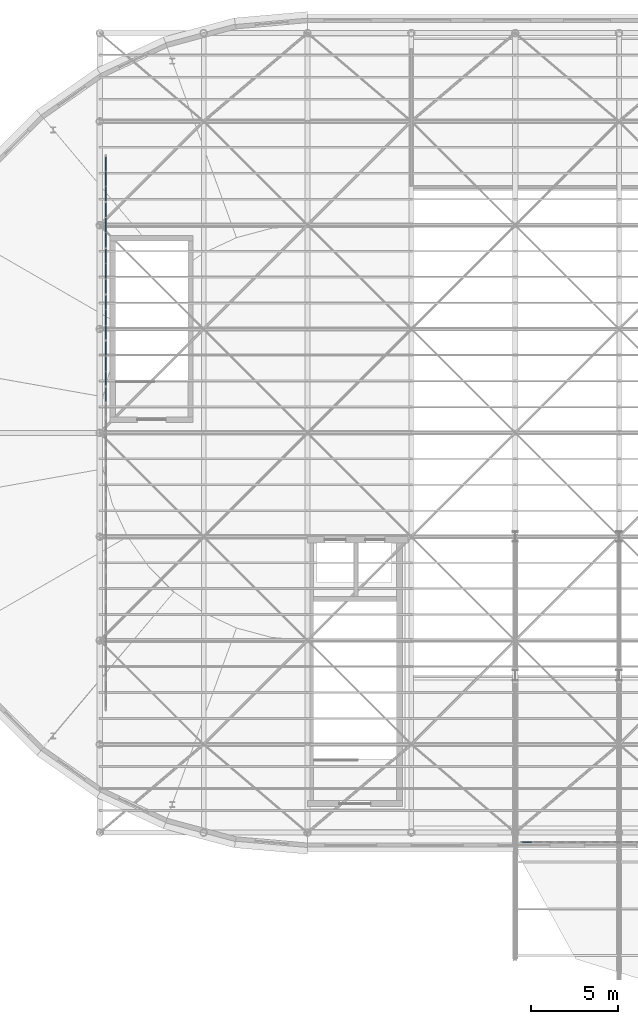
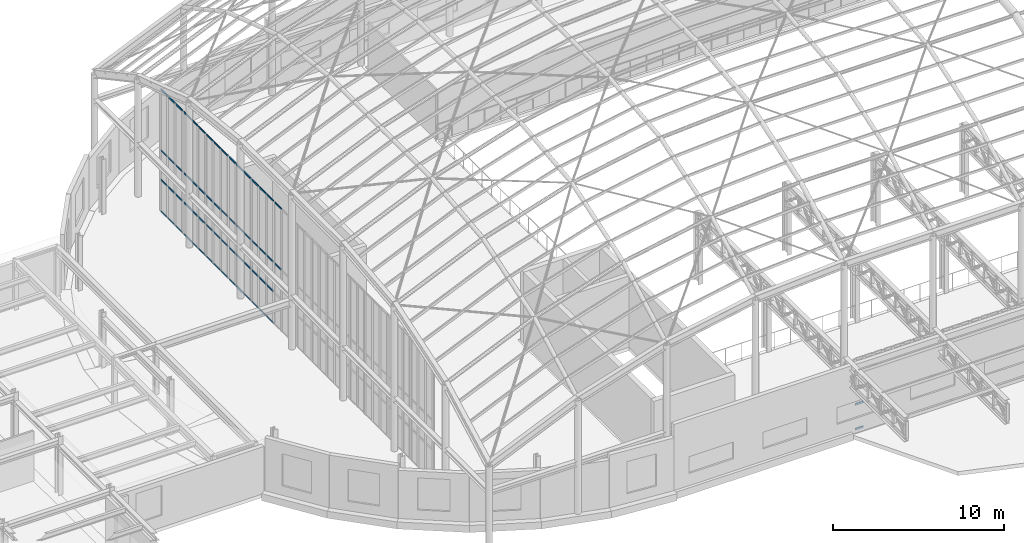
# One storey, part 43 of 75: 64 members, 7 elements without a shape of their own.
"""IFC4 building model written with IfcOpenShell, lengths in metres."""

from ifc_helpers import new_model, si_unit, direction, frame, origin, origin_2d, place, context, subcontext, project, spatial, rectangle, extrude, material, material_profile, profile_set, type_object, element, aggregate, save


model = new_model("IFC4")

# Units and contexts
model_context = context("Model", 3, precision=1e-05, world=origin(), true_north=direction((0.0, 1.0)))
body_context = subcontext(model_context, "Body", "Model", "MODEL_VIEW")
ifc_project = project(units=[si_unit("LENGTHUNIT", "METRE"), si_unit("AREAUNIT", "SQUARE_METRE"), si_unit("VOLUMEUNIT", "CUBIC_METRE"), si_unit("PLANEANGLEUNIT", "RADIAN"), si_unit("MASSUNIT", "GRAM", prefix="KILO")], contexts=[model_context])

# Site, building, storey
site_placement = place(None, origin())
site = spatial("IfcSite", under=ifc_project, at=site_placement, CompositionType="ELEMENT")
building_placement = place(site_placement, origin())
building = spatial("IfcBuilding", under=site, at=building_placement, Name="Kolvaren Corner Interchange", CompositionType="ELEMENT")
storey_placement = place(building_placement, frame((0.0, 0.0, 10.5)))
storey = spatial("IfcBuildingStorey", under=building, at=storey_placement, Name="L03", CompositionType="ELEMENT", Elevation=10.5)

# Curtain wall, members
ifc_material_1 = material(Name="Unitised Aluminium and Solar-Control Glass Curtain Wall", Category="aluminium")
curtain_wall_type_1 = type_object("IfcCurtainWallType", Name="CW-V1-CLER", PredefinedType="NOTDEFINED", material=ifc_material_1)
curtain_wall_1_placement = place(storey_placement, origin())
curtain_wall_1 = element("IfcCurtainWall", 1, at=curtain_wall_1_placement, inside=storey, type_object=curtain_wall_type_1, Name="Gridshell West End Curtain Wall Bay 07", PredefinedType="NOTDEFINED")
ifc_material_2 = material(Name="Anodised Aluminium Framing", Category="aluminium")
ifc_material_profile_1 = material_profile(ifc_material_2, rectangle(XDim=0.06005859375, YDim=0.110107421875, at=origin_2d()), Name="ALU 60x110")
ifc_profile_set_1 = profile_set([ifc_material_profile_1], Name="Anodised Aluminium Framing")
member_type_1 = type_object("IfcMemberType", Name="TRN-ALU60x110", PredefinedType="USERDEFINED", material=ifc_profile_set_1)
member_1_placement = place(storey_placement, frame((48.35009765625, 49.812744140625, 4.39990234375), z_axis=(0.0, 1.0, 0.0), x_axis=(-1.0, 0.0, 0.0)))
member_1 = element("IfcMember", 2, at=member_1_placement, type_object=member_type_1, Name="CW-088 transom 3.3", ObjectType="TRANSOM", PredefinedType="USERDEFINED", context=body_context, shape_type="SweptSolid", body=[
    extrude(rectangle(XDim=0.06005859375, YDim=0.110107421875, at=origin_2d()), origin(), (0.0, 0.0, 1.0), 0.783935546875),
])
member_2_placement = place(storey_placement, frame((48.35009765625, 49.812744140625, 8.741943359375), z_axis=(0.0, 1.0, 0.0), x_axis=(-1.0, 0.0, 0.0)))
member_2 = element("IfcMember", 3, at=member_2_placement, type_object=member_type_1, Name="CW-088 transom 3.4", ObjectType="TRANSOM", PredefinedType="USERDEFINED", context=body_context, shape_type="SweptSolid", body=[
    extrude(rectangle(XDim=0.06005859375, YDim=0.110107421875, at=origin_2d()), origin(), (0.0, 0.0, 1.0), 0.783935546875),
])
aggregate(curtain_wall_1, [member_1, member_2])

curtain_wall_2_placement = place(storey_placement, origin())
curtain_wall_2 = element("IfcCurtainWall", 4, at=curtain_wall_2_placement, inside=storey, type_object=curtain_wall_type_1, Name="Gridshell West End Curtain Wall Bay 08", PredefinedType="NOTDEFINED")
member_3_placement = place(storey_placement, frame((48.35009765625, 50.73681640625, 0.030029296875), z_axis=(0.0, 1.0, 0.0), x_axis=(-1.0, 0.0, 0.0)))
member_3 = element("IfcMember", 5, at=member_3_placement, type_object=member_type_1, Name="CW-089 transom 1.1", ObjectType="TRANSOM", PredefinedType="USERDEFINED", context=body_context, shape_type="SweptSolid", body=[
    extrude(rectangle(XDim=0.06005859375, YDim=0.110107421875, at=origin_2d()), origin(), (0.0, 0.0, 1.0), 0.78369140625),
])
member_4_placement = place(storey_placement, frame((48.35009765625, 50.73681640625, 2.300048828125), z_axis=(0.0, 1.0, 0.0), x_axis=(-1.0, 0.0, 0.0)))
member_4 = element("IfcMember", 6, at=member_4_placement, type_object=member_type_1, Name="CW-089 transom 1.2", ObjectType="TRANSOM", PredefinedType="USERDEFINED", context=body_context, shape_type="SweptSolid", body=[
    extrude(rectangle(XDim=0.06005859375, YDim=0.110107421875, at=origin_2d()), origin(), (0.0, 0.0, 1.0), 0.78369140625),
])
member_5_placement = place(storey_placement, frame((48.35009765625, 50.73681640625, 4.39990234375), z_axis=(0.0, 1.0, 0.0), x_axis=(-1.0, 0.0, 0.0)))
member_5 = element("IfcMember", 7, at=member_5_placement, type_object=member_type_1, Name="CW-089 transom 1.3", ObjectType="TRANSOM", PredefinedType="USERDEFINED", context=body_context, shape_type="SweptSolid", body=[
    extrude(rectangle(XDim=0.06005859375, YDim=0.110107421875, at=origin_2d()), origin(), (0.0, 0.0, 1.0), 0.78369140625),
])
member_6_placement = place(storey_placement, frame((48.35009765625, 50.73681640625, 8.741943359375), z_axis=(0.0, 1.0, 0.0), x_axis=(-1.0, 0.0, 0.0)))
member_6 = element("IfcMember", 8, at=member_6_placement, type_object=member_type_1, Name="CW-089 transom 1.4", ObjectType="TRANSOM", PredefinedType="USERDEFINED", context=body_context, shape_type="SweptSolid", body=[
    extrude(rectangle(XDim=0.06005859375, YDim=0.110107421875, at=origin_2d()), origin(), (0.0, 0.0, 1.0), 0.78369140625),
])
member_7_placement = place(storey_placement, frame((48.35009765625, 51.590576171875, 0.030029296875), z_axis=(0.0, 1.0, 0.0), x_axis=(-1.0, 0.0, 0.0)))
member_7 = element("IfcMember", 9, at=member_7_placement, type_object=member_type_1, Name="CW-089 transom 2.1", ObjectType="TRANSOM", PredefinedType="USERDEFINED", context=body_context, shape_type="SweptSolid", body=[
    extrude(rectangle(XDim=0.06005859375, YDim=0.110107421875, at=origin_2d()), origin(), (0.0, 0.0, 1.0), 0.81884765625),
])
member_8_placement = place(storey_placement, frame((48.35009765625, 51.590576171875, 2.300048828125), z_axis=(0.0, 1.0, 0.0), x_axis=(-1.0, 0.0, 0.0)))
member_8 = element("IfcMember", 10, at=member_8_placement, type_object=member_type_1, Name="CW-089 transom 2.2", ObjectType="TRANSOM", PredefinedType="USERDEFINED", context=body_context, shape_type="SweptSolid", body=[
    extrude(rectangle(XDim=0.06005859375, YDim=0.110107421875, at=origin_2d()), origin(), (0.0, 0.0, 1.0), 0.81884765625),
])
member_9_placement = place(storey_placement, frame((48.35009765625, 51.590576171875, 4.39990234375), z_axis=(0.0, 1.0, 0.0), x_axis=(-1.0, 0.0, 0.0)))
member_9 = element("IfcMember", 11, at=member_9_placement, type_object=member_type_1, Name="CW-089 transom 2.3", ObjectType="TRANSOM", PredefinedType="USERDEFINED", context=body_context, shape_type="SweptSolid", body=[
    extrude(rectangle(XDim=0.06005859375, YDim=0.110107421875, at=origin_2d()), origin(), (0.0, 0.0, 1.0), 0.81884765625),
])
member_10_placement = place(storey_placement, frame((48.35009765625, 51.590576171875, 8.741943359375), z_axis=(0.0, 1.0, 0.0), x_axis=(-1.0, 0.0, 0.0)))
member_10 = element("IfcMember", 12, at=member_10_placement, type_object=member_type_1, Name="CW-089 transom 2.4", ObjectType="TRANSOM", PredefinedType="USERDEFINED", context=body_context, shape_type="SweptSolid", body=[
    extrude(rectangle(XDim=0.06005859375, YDim=0.110107421875, at=origin_2d()), origin(), (0.0, 0.0, 1.0), 0.81884765625),
])
member_11_placement = place(storey_placement, frame((48.35009765625, 52.4794921875, 0.030029296875), z_axis=(0.0, 1.0, 0.0), x_axis=(-1.0, 0.0, 0.0)))
member_11 = element("IfcMember", 13, at=member_11_placement, type_object=member_type_1, Name="CW-089 transom 3.1", ObjectType="TRANSOM", PredefinedType="USERDEFINED", context=body_context, shape_type="SweptSolid", body=[
    extrude(rectangle(XDim=0.06005859375, YDim=0.110107421875, at=origin_2d()), origin(), (0.0, 0.0, 1.0), 0.78369140625),
])
member_12_placement = place(storey_placement, frame((48.35009765625, 52.4794921875, 2.300048828125), z_axis=(0.0, 1.0, 0.0), x_axis=(-1.0, 0.0, 0.0)))
member_12 = element("IfcMember", 14, at=member_12_placement, type_object=member_type_1, Name="CW-089 transom 3.2", ObjectType="TRANSOM", PredefinedType="USERDEFINED", context=body_context, shape_type="SweptSolid", body=[
    extrude(rectangle(XDim=0.06005859375, YDim=0.110107421875, at=origin_2d()), origin(), (0.0, 0.0, 1.0), 0.78369140625),
])
member_13_placement = place(storey_placement, frame((48.35009765625, 52.4794921875, 4.39990234375), z_axis=(0.0, 1.0, 0.0), x_axis=(-1.0, 0.0, 0.0)))
member_13 = element("IfcMember", 15, at=member_13_placement, type_object=member_type_1, Name="CW-089 transom 3.3", ObjectType="TRANSOM", PredefinedType="USERDEFINED", context=body_context, shape_type="SweptSolid", body=[
    extrude(rectangle(XDim=0.06005859375, YDim=0.110107421875, at=origin_2d()), origin(), (0.0, 0.0, 1.0), 0.78369140625),
])
member_14_placement = place(storey_placement, frame((48.35009765625, 52.4794921875, 8.741943359375), z_axis=(0.0, 1.0, 0.0), x_axis=(-1.0, 0.0, 0.0)))
member_14 = element("IfcMember", 16, at=member_14_placement, type_object=member_type_1, Name="CW-089 transom 3.4", ObjectType="TRANSOM", PredefinedType="USERDEFINED", context=body_context, shape_type="SweptSolid", body=[
    extrude(rectangle(XDim=0.06005859375, YDim=0.110107421875, at=origin_2d()), origin(), (0.0, 0.0, 1.0), 0.78369140625),
])
aggregate(curtain_wall_2, [member_3, member_4, member_5, member_6, member_7, member_8, member_9, member_10, member_11, member_12, member_13, member_14])

curtain_wall_3_placement = place(storey_placement, origin())
curtain_wall_3 = element("IfcCurtainWall", 17, at=curtain_wall_3_placement, inside=storey, type_object=curtain_wall_type_1, Name="Gridshell West End Curtain Wall Bay 09", PredefinedType="NOTDEFINED")
member_15_placement = place(storey_placement, frame((48.35009765625, 53.4033203125, 0.030029296875), z_axis=(0.0, 1.0, 0.0), x_axis=(-1.0, 0.0, 0.0)))
member_15 = element("IfcMember", 18, at=member_15_placement, type_object=member_type_1, Name="CW-090 transom 1.1", ObjectType="TRANSOM", PredefinedType="USERDEFINED", context=body_context, shape_type="SweptSolid", body=[
    extrude(rectangle(XDim=0.06005859375, YDim=0.110107421875, at=origin_2d()), origin(), (0.0, 0.0, 1.0), 0.783935546875),
])
member_16_placement = place(storey_placement, frame((48.35009765625, 53.4033203125, 2.300048828125), z_axis=(0.0, 1.0, 0.0), x_axis=(-1.0, 0.0, 0.0)))
member_16 = element("IfcMember", 19, at=member_16_placement, type_object=member_type_1, Name="CW-090 transom 1.2", ObjectType="TRANSOM", PredefinedType="USERDEFINED", context=body_context, shape_type="SweptSolid", body=[
    extrude(rectangle(XDim=0.06005859375, YDim=0.110107421875, at=origin_2d()), origin(), (0.0, 0.0, 1.0), 0.783935546875),
])
member_17_placement = place(storey_placement, frame((48.35009765625, 53.4033203125, 4.39990234375), z_axis=(0.0, 1.0, 0.0), x_axis=(-1.0, 0.0, 0.0)))
member_17 = element("IfcMember", 20, at=member_17_placement, type_object=member_type_1, Name="CW-090 transom 1.3", ObjectType="TRANSOM", PredefinedType="USERDEFINED", context=body_context, shape_type="SweptSolid", body=[
    extrude(rectangle(XDim=0.06005859375, YDim=0.110107421875, at=origin_2d()), origin(), (0.0, 0.0, 1.0), 0.783935546875),
])
member_18_placement = place(storey_placement, frame((48.35009765625, 53.4033203125, 8.741943359375), z_axis=(0.0, 1.0, 0.0), x_axis=(-1.0, 0.0, 0.0)))
member_18 = element("IfcMember", 21, at=member_18_placement, type_object=member_type_1, Name="CW-090 transom 1.4", ObjectType="TRANSOM", PredefinedType="USERDEFINED", context=body_context, shape_type="SweptSolid", body=[
    extrude(rectangle(XDim=0.06005859375, YDim=0.110107421875, at=origin_2d()), origin(), (0.0, 0.0, 1.0), 0.783935546875),
])
member_19_placement = place(storey_placement, frame((48.35009765625, 54.257080078125, 0.030029296875), z_axis=(0.0, 1.0, 0.0), x_axis=(-1.0, 0.0, 0.0)))
member_19 = element("IfcMember", 22, at=member_19_placement, type_object=member_type_1, Name="CW-090 transom 2.1", ObjectType="TRANSOM", PredefinedType="USERDEFINED", context=body_context, shape_type="SweptSolid", body=[
    extrude(rectangle(XDim=0.06005859375, YDim=0.110107421875, at=origin_2d()), origin(), (0.0, 0.0, 1.0), 0.819091796875),
])
member_20_placement = place(storey_placement, frame((48.35009765625, 54.257080078125, 2.300048828125), z_axis=(0.0, 1.0, 0.0), x_axis=(-1.0, 0.0, 0.0)))
member_20 = element("IfcMember", 23, at=member_20_placement, type_object=member_type_1, Name="CW-090 transom 2.2", ObjectType="TRANSOM", PredefinedType="USERDEFINED", context=body_context, shape_type="SweptSolid", body=[
    extrude(rectangle(XDim=0.06005859375, YDim=0.110107421875, at=origin_2d()), origin(), (0.0, 0.0, 1.0), 0.819091796875),
])
member_21_placement = place(storey_placement, frame((48.35009765625, 54.257080078125, 4.39990234375), z_axis=(0.0, 1.0, 0.0), x_axis=(-1.0, 0.0, 0.0)))
member_21 = element("IfcMember", 24, at=member_21_placement, type_object=member_type_1, Name="CW-090 transom 2.3", ObjectType="TRANSOM", PredefinedType="USERDEFINED", context=body_context, shape_type="SweptSolid", body=[
    extrude(rectangle(XDim=0.06005859375, YDim=0.110107421875, at=origin_2d()), origin(), (0.0, 0.0, 1.0), 0.819091796875),
])
member_22_placement = place(storey_placement, frame((48.35009765625, 54.257080078125, 8.741943359375), z_axis=(0.0, 1.0, 0.0), x_axis=(-1.0, 0.0, 0.0)))
member_22 = element("IfcMember", 25, at=member_22_placement, type_object=member_type_1, Name="CW-090 transom 2.4", ObjectType="TRANSOM", PredefinedType="USERDEFINED", context=body_context, shape_type="SweptSolid", body=[
    extrude(rectangle(XDim=0.06005859375, YDim=0.110107421875, at=origin_2d()), origin(), (0.0, 0.0, 1.0), 0.819091796875),
])
member_23_placement = place(storey_placement, frame((48.35009765625, 55.14599609375, 0.030029296875), z_axis=(0.0, 1.0, 0.0), x_axis=(-1.0, 0.0, 0.0)))
member_23 = element("IfcMember", 26, at=member_23_placement, type_object=member_type_1, Name="CW-090 transom 3.1", ObjectType="TRANSOM", PredefinedType="USERDEFINED", context=body_context, shape_type="SweptSolid", body=[
    extrude(rectangle(XDim=0.06005859375, YDim=0.110107421875, at=origin_2d()), origin(), (0.0, 0.0, 1.0), 0.783935546875),
])
member_24_placement = place(storey_placement, frame((48.35009765625, 55.14599609375, 2.300048828125), z_axis=(0.0, 1.0, 0.0), x_axis=(-1.0, 0.0, 0.0)))
member_24 = element("IfcMember", 27, at=member_24_placement, type_object=member_type_1, Name="CW-090 transom 3.2", ObjectType="TRANSOM", PredefinedType="USERDEFINED", context=body_context, shape_type="SweptSolid", body=[
    extrude(rectangle(XDim=0.06005859375, YDim=0.110107421875, at=origin_2d()), origin(), (0.0, 0.0, 1.0), 0.783935546875),
])
member_25_placement = place(storey_placement, frame((48.35009765625, 55.14599609375, 4.39990234375), z_axis=(0.0, 1.0, 0.0), x_axis=(-1.0, 0.0, 0.0)))
member_25 = element("IfcMember", 28, at=member_25_placement, type_object=member_type_1, Name="CW-090 transom 3.3", ObjectType="TRANSOM", PredefinedType="USERDEFINED", context=body_context, shape_type="SweptSolid", body=[
    extrude(rectangle(XDim=0.06005859375, YDim=0.110107421875, at=origin_2d()), origin(), (0.0, 0.0, 1.0), 0.783935546875),
])
member_26_placement = place(storey_placement, frame((48.35009765625, 55.14599609375, 8.741943359375), z_axis=(0.0, 1.0, 0.0), x_axis=(-1.0, 0.0, 0.0)))
member_26 = element("IfcMember", 29, at=member_26_placement, type_object=member_type_1, Name="CW-090 transom 3.4", ObjectType="TRANSOM", PredefinedType="USERDEFINED", context=body_context, shape_type="SweptSolid", body=[
    extrude(rectangle(XDim=0.06005859375, YDim=0.110107421875, at=origin_2d()), origin(), (0.0, 0.0, 1.0), 0.783935546875),
])
aggregate(curtain_wall_3, [member_15, member_16, member_17, member_18, member_19, member_20, member_21, member_22, member_23, member_24, member_25, member_26])

curtain_wall_4_placement = place(storey_placement, origin())
curtain_wall_4 = element("IfcCurtainWall", 30, at=curtain_wall_4_placement, inside=storey, type_object=curtain_wall_type_1, Name="Gridshell West End Curtain Wall Bay 10", PredefinedType="NOTDEFINED")
member_27_placement = place(storey_placement, frame((48.35009765625, 56.070068359375, 0.030029296875), z_axis=(0.0, 1.0, 0.0), x_axis=(-1.0, 0.0, 0.0)))
member_27 = element("IfcMember", 31, at=member_27_placement, type_object=member_type_1, Name="CW-091 transom 1.1", ObjectType="TRANSOM", PredefinedType="USERDEFINED", context=body_context, shape_type="SweptSolid", body=[
    extrude(rectangle(XDim=0.06005859375, YDim=0.110107421875, at=origin_2d()), origin(), (0.0, 0.0, 1.0), 0.783935546875),
])
member_28_placement = place(storey_placement, frame((48.35009765625, 56.070068359375, 2.300048828125), z_axis=(0.0, 1.0, 0.0), x_axis=(-1.0, 0.0, 0.0)))
member_28 = element("IfcMember", 32, at=member_28_placement, type_object=member_type_1, Name="CW-091 transom 1.2", ObjectType="TRANSOM", PredefinedType="USERDEFINED", context=body_context, shape_type="SweptSolid", body=[
    extrude(rectangle(XDim=0.06005859375, YDim=0.110107421875, at=origin_2d()), origin(), (0.0, 0.0, 1.0), 0.783935546875),
])
member_29_placement = place(storey_placement, frame((48.35009765625, 56.070068359375, 4.39990234375), z_axis=(0.0, 1.0, 0.0), x_axis=(-1.0, 0.0, 0.0)))
member_29 = element("IfcMember", 33, at=member_29_placement, type_object=member_type_1, Name="CW-091 transom 1.3", ObjectType="TRANSOM", PredefinedType="USERDEFINED", context=body_context, shape_type="SweptSolid", body=[
    extrude(rectangle(XDim=0.06005859375, YDim=0.110107421875, at=origin_2d()), origin(), (0.0, 0.0, 1.0), 0.783935546875),
])
member_30_placement = place(storey_placement, frame((48.35009765625, 56.070068359375, 8.741943359375), z_axis=(0.0, 1.0, 0.0), x_axis=(-1.0, 0.0, 0.0)))
member_30 = element("IfcMember", 34, at=member_30_placement, type_object=member_type_1, Name="CW-091 transom 1.4", ObjectType="TRANSOM", PredefinedType="USERDEFINED", context=body_context, shape_type="SweptSolid", body=[
    extrude(rectangle(XDim=0.06005859375, YDim=0.110107421875, at=origin_2d()), origin(), (0.0, 0.0, 1.0), 0.783935546875),
])
member_31_placement = place(storey_placement, frame((48.35009765625, 56.923828125, 0.030029296875), z_axis=(0.0, 1.0, 0.0), x_axis=(-1.0, 0.0, 0.0)))
member_31 = element("IfcMember", 35, at=member_31_placement, type_object=member_type_1, Name="CW-091 transom 2.1", ObjectType="TRANSOM", PredefinedType="USERDEFINED", context=body_context, shape_type="SweptSolid", body=[
    extrude(rectangle(XDim=0.06005859375, YDim=0.110107421875, at=origin_2d()), origin(), (0.0, 0.0, 1.0), 0.819091796875),
])
member_32_placement = place(storey_placement, frame((48.35009765625, 56.923828125, 2.300048828125), z_axis=(0.0, 1.0, 0.0), x_axis=(-1.0, 0.0, 0.0)))
member_32 = element("IfcMember", 36, at=member_32_placement, type_object=member_type_1, Name="CW-091 transom 2.2", ObjectType="TRANSOM", PredefinedType="USERDEFINED", context=body_context, shape_type="SweptSolid", body=[
    extrude(rectangle(XDim=0.06005859375, YDim=0.110107421875, at=origin_2d()), origin(), (0.0, 0.0, 1.0), 0.819091796875),
])
member_33_placement = place(storey_placement, frame((48.35009765625, 56.923828125, 4.39990234375), z_axis=(0.0, 1.0, 0.0), x_axis=(-1.0, 0.0, 0.0)))
member_33 = element("IfcMember", 37, at=member_33_placement, type_object=member_type_1, Name="CW-091 transom 2.3", ObjectType="TRANSOM", PredefinedType="USERDEFINED", context=body_context, shape_type="SweptSolid", body=[
    extrude(rectangle(XDim=0.06005859375, YDim=0.110107421875, at=origin_2d()), origin(), (0.0, 0.0, 1.0), 0.819091796875),
])
member_34_placement = place(storey_placement, frame((48.35009765625, 56.923828125, 8.741943359375), z_axis=(0.0, 1.0, 0.0), x_axis=(-1.0, 0.0, 0.0)))
member_34 = element("IfcMember", 38, at=member_34_placement, type_object=member_type_1, Name="CW-091 transom 2.4", ObjectType="TRANSOM", PredefinedType="USERDEFINED", context=body_context, shape_type="SweptSolid", body=[
    extrude(rectangle(XDim=0.06005859375, YDim=0.110107421875, at=origin_2d()), origin(), (0.0, 0.0, 1.0), 0.819091796875),
])
member_35_placement = place(storey_placement, frame((48.35009765625, 57.812744140625, 0.030029296875), z_axis=(0.0, 1.0, 0.0), x_axis=(-1.0, 0.0, 0.0)))
member_35 = element("IfcMember", 39, at=member_35_placement, type_object=member_type_1, Name="CW-091 transom 3.1", ObjectType="TRANSOM", PredefinedType="USERDEFINED", context=body_context, shape_type="SweptSolid", body=[
    extrude(rectangle(XDim=0.06005859375, YDim=0.110107421875, at=origin_2d()), origin(), (0.0, 0.0, 1.0), 0.783935546875),
])
member_36_placement = place(storey_placement, frame((48.35009765625, 57.812744140625, 2.300048828125), z_axis=(0.0, 1.0, 0.0), x_axis=(-1.0, 0.0, 0.0)))
member_36 = element("IfcMember", 40, at=member_36_placement, type_object=member_type_1, Name="CW-091 transom 3.2", ObjectType="TRANSOM", PredefinedType="USERDEFINED", context=body_context, shape_type="SweptSolid", body=[
    extrude(rectangle(XDim=0.06005859375, YDim=0.110107421875, at=origin_2d()), origin(), (0.0, 0.0, 1.0), 0.783935546875),
])
member_37_placement = place(storey_placement, frame((48.35009765625, 57.812744140625, 4.39990234375), z_axis=(0.0, 1.0, 0.0), x_axis=(-1.0, 0.0, 0.0)))
member_37 = element("IfcMember", 41, at=member_37_placement, type_object=member_type_1, Name="CW-091 transom 3.3", ObjectType="TRANSOM", PredefinedType="USERDEFINED", context=body_context, shape_type="SweptSolid", body=[
    extrude(rectangle(XDim=0.06005859375, YDim=0.110107421875, at=origin_2d()), origin(), (0.0, 0.0, 1.0), 0.783935546875),
])
member_38_placement = place(storey_placement, frame((48.35009765625, 57.812744140625, 8.741943359375), z_axis=(0.0, 1.0, 0.0), x_axis=(-1.0, 0.0, 0.0)))
member_38 = element("IfcMember", 42, at=member_38_placement, type_object=member_type_1, Name="CW-091 transom 3.4", ObjectType="TRANSOM", PredefinedType="USERDEFINED", context=body_context, shape_type="SweptSolid", body=[
    extrude(rectangle(XDim=0.06005859375, YDim=0.110107421875, at=origin_2d()), origin(), (0.0, 0.0, 1.0), 0.783935546875),
])
aggregate(curtain_wall_4, [member_27, member_28, member_29, member_30, member_31, member_32, member_33, member_34, member_35, member_36, member_37, member_38])

curtain_wall_5_placement = place(storey_placement, origin())
curtain_wall_5 = element("IfcCurtainWall", 43, at=curtain_wall_5_placement, inside=storey, type_object=curtain_wall_type_1, Name="Gridshell West End Curtain Wall Bay 11", PredefinedType="NOTDEFINED")
member_39_placement = place(storey_placement, frame((48.35009765625, 58.73681640625, 0.030029296875), z_axis=(0.0, 1.0, 0.0), x_axis=(-1.0, 0.0, 0.0)))
member_39 = element("IfcMember", 44, at=member_39_placement, type_object=member_type_1, Name="CW-092 transom 1.1", ObjectType="TRANSOM", PredefinedType="USERDEFINED", context=body_context, shape_type="SweptSolid", body=[
    extrude(rectangle(XDim=0.06005859375, YDim=0.110107421875, at=origin_2d()), origin(), (0.0, 0.0, 1.0), 0.78369140625),
])
member_40_placement = place(storey_placement, frame((48.35009765625, 58.73681640625, 2.300048828125), z_axis=(0.0, 1.0, 0.0), x_axis=(-1.0, 0.0, 0.0)))
member_40 = element("IfcMember", 45, at=member_40_placement, type_object=member_type_1, Name="CW-092 transom 1.2", ObjectType="TRANSOM", PredefinedType="USERDEFINED", context=body_context, shape_type="SweptSolid", body=[
    extrude(rectangle(XDim=0.06005859375, YDim=0.110107421875, at=origin_2d()), origin(), (0.0, 0.0, 1.0), 0.78369140625),
])
member_41_placement = place(storey_placement, frame((48.35009765625, 58.73681640625, 4.39990234375), z_axis=(0.0, 1.0, 0.0), x_axis=(-1.0, 0.0, 0.0)))
member_41 = element("IfcMember", 46, at=member_41_placement, type_object=member_type_1, Name="CW-092 transom 1.3", ObjectType="TRANSOM", PredefinedType="USERDEFINED", context=body_context, shape_type="SweptSolid", body=[
    extrude(rectangle(XDim=0.06005859375, YDim=0.110107421875, at=origin_2d()), origin(), (0.0, 0.0, 1.0), 0.78369140625),
])
member_42_placement = place(storey_placement, frame((48.35009765625, 58.73681640625, 8.741943359375), z_axis=(0.0, 1.0, 0.0), x_axis=(-1.0, 0.0, 0.0)))
member_42 = element("IfcMember", 47, at=member_42_placement, type_object=member_type_1, Name="CW-092 transom 1.4", ObjectType="TRANSOM", PredefinedType="USERDEFINED", context=body_context, shape_type="SweptSolid", body=[
    extrude(rectangle(XDim=0.06005859375, YDim=0.110107421875, at=origin_2d()), origin(), (0.0, 0.0, 1.0), 0.78369140625),
])
member_43_placement = place(storey_placement, frame((48.35009765625, 59.590576171875, 0.030029296875), z_axis=(0.0, 1.0, 0.0), x_axis=(-1.0, 0.0, 0.0)))
member_43 = element("IfcMember", 48, at=member_43_placement, type_object=member_type_1, Name="CW-092 transom 2.1", ObjectType="TRANSOM", PredefinedType="USERDEFINED", context=body_context, shape_type="SweptSolid", body=[
    extrude(rectangle(XDim=0.06005859375, YDim=0.110107421875, at=origin_2d()), origin(), (0.0, 0.0, 1.0), 0.81884765625),
])
member_44_placement = place(storey_placement, frame((48.35009765625, 59.590576171875, 2.300048828125), z_axis=(0.0, 1.0, 0.0), x_axis=(-1.0, 0.0, 0.0)))
member_44 = element("IfcMember", 49, at=member_44_placement, type_object=member_type_1, Name="CW-092 transom 2.2", ObjectType="TRANSOM", PredefinedType="USERDEFINED", context=body_context, shape_type="SweptSolid", body=[
    extrude(rectangle(XDim=0.06005859375, YDim=0.110107421875, at=origin_2d()), origin(), (0.0, 0.0, 1.0), 0.81884765625),
])
member_45_placement = place(storey_placement, frame((48.35009765625, 59.590576171875, 4.39990234375), z_axis=(0.0, 1.0, 0.0), x_axis=(-1.0, 0.0, 0.0)))
member_45 = element("IfcMember", 50, at=member_45_placement, type_object=member_type_1, Name="CW-092 transom 2.3", ObjectType="TRANSOM", PredefinedType="USERDEFINED", context=body_context, shape_type="SweptSolid", body=[
    extrude(rectangle(XDim=0.06005859375, YDim=0.110107421875, at=origin_2d()), origin(), (0.0, 0.0, 1.0), 0.81884765625),
])
member_46_placement = place(storey_placement, frame((48.35009765625, 59.590576171875, 8.741943359375), z_axis=(0.0, 1.0, 0.0), x_axis=(-1.0, 0.0, 0.0)))
member_46 = element("IfcMember", 51, at=member_46_placement, type_object=member_type_1, Name="CW-092 transom 2.4", ObjectType="TRANSOM", PredefinedType="USERDEFINED", context=body_context, shape_type="SweptSolid", body=[
    extrude(rectangle(XDim=0.06005859375, YDim=0.110107421875, at=origin_2d()), origin(), (0.0, 0.0, 1.0), 0.81884765625),
])
member_47_placement = place(storey_placement, frame((48.35009765625, 60.4794921875, 0.030029296875), z_axis=(0.0, 1.0, 0.0), x_axis=(-1.0, 0.0, 0.0)))
member_47 = element("IfcMember", 52, at=member_47_placement, type_object=member_type_1, Name="CW-092 transom 3.1", ObjectType="TRANSOM", PredefinedType="USERDEFINED", context=body_context, shape_type="SweptSolid", body=[
    extrude(rectangle(XDim=0.06005859375, YDim=0.110107421875, at=origin_2d()), origin(), (0.0, 0.0, 1.0), 0.78369140625),
])
member_48_placement = place(storey_placement, frame((48.35009765625, 60.4794921875, 2.300048828125), z_axis=(0.0, 1.0, 0.0), x_axis=(-1.0, 0.0, 0.0)))
member_48 = element("IfcMember", 53, at=member_48_placement, type_object=member_type_1, Name="CW-092 transom 3.2", ObjectType="TRANSOM", PredefinedType="USERDEFINED", context=body_context, shape_type="SweptSolid", body=[
    extrude(rectangle(XDim=0.06005859375, YDim=0.110107421875, at=origin_2d()), origin(), (0.0, 0.0, 1.0), 0.78369140625),
])
member_49_placement = place(storey_placement, frame((48.35009765625, 60.4794921875, 4.39990234375), z_axis=(0.0, 1.0, 0.0), x_axis=(-1.0, 0.0, 0.0)))
member_49 = element("IfcMember", 54, at=member_49_placement, type_object=member_type_1, Name="CW-092 transom 3.3", ObjectType="TRANSOM", PredefinedType="USERDEFINED", context=body_context, shape_type="SweptSolid", body=[
    extrude(rectangle(XDim=0.06005859375, YDim=0.110107421875, at=origin_2d()), origin(), (0.0, 0.0, 1.0), 0.78369140625),
])
member_50_placement = place(storey_placement, frame((48.35009765625, 60.4794921875, 8.741943359375), z_axis=(0.0, 1.0, 0.0), x_axis=(-1.0, 0.0, 0.0)))
member_50 = element("IfcMember", 55, at=member_50_placement, type_object=member_type_1, Name="CW-092 transom 3.4", ObjectType="TRANSOM", PredefinedType="USERDEFINED", context=body_context, shape_type="SweptSolid", body=[
    extrude(rectangle(XDim=0.06005859375, YDim=0.110107421875, at=origin_2d()), origin(), (0.0, 0.0, 1.0), 0.78369140625),
])
aggregate(curtain_wall_5, [member_39, member_40, member_41, member_42, member_43, member_44, member_45, member_46, member_47, member_48, member_49, member_50])

curtain_wall_6_placement = place(storey_placement, origin())
curtain_wall_6 = element("IfcCurtainWall", 56, at=curtain_wall_6_placement, inside=storey, type_object=curtain_wall_type_1, Name="Gridshell West End Curtain Wall Bay 12", PredefinedType="NOTDEFINED")
member_51_placement = place(storey_placement, frame((48.35009765625, 61.4033203125, 0.030029296875), z_axis=(0.0, 1.0, 0.0), x_axis=(-1.0, 0.0, 0.0)))
member_51 = element("IfcMember", 57, at=member_51_placement, type_object=member_type_1, Name="CW-093 transom 1.1", ObjectType="TRANSOM", PredefinedType="USERDEFINED", context=body_context, shape_type="SweptSolid", body=[
    extrude(rectangle(XDim=0.06005859375, YDim=0.110107421875, at=origin_2d()), origin(), (0.0, 0.0, 1.0), 0.783935546875),
])
member_52_placement = place(storey_placement, frame((48.35009765625, 61.4033203125, 2.300048828125), z_axis=(0.0, 1.0, 0.0), x_axis=(-1.0, 0.0, 0.0)))
member_52 = element("IfcMember", 58, at=member_52_placement, type_object=member_type_1, Name="CW-093 transom 1.2", ObjectType="TRANSOM", PredefinedType="USERDEFINED", context=body_context, shape_type="SweptSolid", body=[
    extrude(rectangle(XDim=0.06005859375, YDim=0.110107421875, at=origin_2d()), origin(), (0.0, 0.0, 1.0), 0.783935546875),
])
member_53_placement = place(storey_placement, frame((48.35009765625, 61.4033203125, 4.39990234375), z_axis=(0.0, 1.0, 0.0), x_axis=(-1.0, 0.0, 0.0)))
member_53 = element("IfcMember", 59, at=member_53_placement, type_object=member_type_1, Name="CW-093 transom 1.3", ObjectType="TRANSOM", PredefinedType="USERDEFINED", context=body_context, shape_type="SweptSolid", body=[
    extrude(rectangle(XDim=0.06005859375, YDim=0.110107421875, at=origin_2d()), origin(), (0.0, 0.0, 1.0), 0.783935546875),
])
member_54_placement = place(storey_placement, frame((48.35009765625, 61.4033203125, 8.741943359375), z_axis=(0.0, 1.0, 0.0), x_axis=(-1.0, 0.0, 0.0)))
member_54 = element("IfcMember", 60, at=member_54_placement, type_object=member_type_1, Name="CW-093 transom 1.4", ObjectType="TRANSOM", PredefinedType="USERDEFINED", context=body_context, shape_type="SweptSolid", body=[
    extrude(rectangle(XDim=0.06005859375, YDim=0.110107421875, at=origin_2d()), origin(), (0.0, 0.0, 1.0), 0.783935546875),
])
member_55_placement = place(storey_placement, frame((48.35009765625, 62.257080078125, 0.030029296875), z_axis=(0.0, 1.0, 0.0), x_axis=(-1.0, 0.0, 0.0)))
member_55 = element("IfcMember", 61, at=member_55_placement, type_object=member_type_1, Name="CW-093 transom 2.1", ObjectType="TRANSOM", PredefinedType="USERDEFINED", context=body_context, shape_type="SweptSolid", body=[
    extrude(rectangle(XDim=0.06005859375, YDim=0.110107421875, at=origin_2d()), origin(), (0.0, 0.0, 1.0), 0.819091796875),
])
member_56_placement = place(storey_placement, frame((48.35009765625, 62.257080078125, 2.300048828125), z_axis=(0.0, 1.0, 0.0), x_axis=(-1.0, 0.0, 0.0)))
member_56 = element("IfcMember", 62, at=member_56_placement, type_object=member_type_1, Name="CW-093 transom 2.2", ObjectType="TRANSOM", PredefinedType="USERDEFINED", context=body_context, shape_type="SweptSolid", body=[
    extrude(rectangle(XDim=0.06005859375, YDim=0.110107421875, at=origin_2d()), origin(), (0.0, 0.0, 1.0), 0.819091796875),
])
member_57_placement = place(storey_placement, frame((48.35009765625, 62.257080078125, 4.39990234375), z_axis=(0.0, 1.0, 0.0), x_axis=(-1.0, 0.0, 0.0)))
member_57 = element("IfcMember", 63, at=member_57_placement, type_object=member_type_1, Name="CW-093 transom 2.3", ObjectType="TRANSOM", PredefinedType="USERDEFINED", context=body_context, shape_type="SweptSolid", body=[
    extrude(rectangle(XDim=0.06005859375, YDim=0.110107421875, at=origin_2d()), origin(), (0.0, 0.0, 1.0), 0.819091796875),
])
member_58_placement = place(storey_placement, frame((48.35009765625, 62.257080078125, 8.741943359375), z_axis=(0.0, 1.0, 0.0), x_axis=(-1.0, 0.0, 0.0)))
member_58 = element("IfcMember", 64, at=member_58_placement, type_object=member_type_1, Name="CW-093 transom 2.4", ObjectType="TRANSOM", PredefinedType="USERDEFINED", context=body_context, shape_type="SweptSolid", body=[
    extrude(rectangle(XDim=0.06005859375, YDim=0.110107421875, at=origin_2d()), origin(), (0.0, 0.0, 1.0), 0.819091796875),
])
member_59_placement = place(storey_placement, frame((48.35009765625, 63.14599609375, 0.030029296875), z_axis=(0.0, 1.0, 0.0), x_axis=(-1.0, 0.0, 0.0)))
member_59 = element("IfcMember", 65, at=member_59_placement, type_object=member_type_1, Name="CW-093 transom 3.1", ObjectType="TRANSOM", PredefinedType="USERDEFINED", context=body_context, shape_type="SweptSolid", body=[
    extrude(rectangle(XDim=0.06005859375, YDim=0.110107421875, at=origin_2d()), origin(), (0.0, 0.0, 1.0), 0.783935546875),
])
member_60_placement = place(storey_placement, frame((48.35009765625, 63.14599609375, 2.300048828125), z_axis=(0.0, 1.0, 0.0), x_axis=(-1.0, 0.0, 0.0)))
member_60 = element("IfcMember", 66, at=member_60_placement, type_object=member_type_1, Name="CW-093 transom 3.2", ObjectType="TRANSOM", PredefinedType="USERDEFINED", context=body_context, shape_type="SweptSolid", body=[
    extrude(rectangle(XDim=0.06005859375, YDim=0.110107421875, at=origin_2d()), origin(), (0.0, 0.0, 1.0), 0.783935546875),
])
member_61_placement = place(storey_placement, frame((48.35009765625, 63.14599609375, 4.39990234375), z_axis=(0.0, 1.0, 0.0), x_axis=(-1.0, 0.0, 0.0)))
member_61 = element("IfcMember", 67, at=member_61_placement, type_object=member_type_1, Name="CW-093 transom 3.3", ObjectType="TRANSOM", PredefinedType="USERDEFINED", context=body_context, shape_type="SweptSolid", body=[
    extrude(rectangle(XDim=0.06005859375, YDim=0.110107421875, at=origin_2d()), origin(), (0.0, 0.0, 1.0), 0.783935546875),
])
member_62_placement = place(storey_placement, frame((48.35009765625, 63.14599609375, 8.741943359375), z_axis=(0.0, 1.0, 0.0), x_axis=(-1.0, 0.0, 0.0)))
member_62 = element("IfcMember", 68, at=member_62_placement, type_object=member_type_1, Name="CW-093 transom 3.4", ObjectType="TRANSOM", PredefinedType="USERDEFINED", context=body_context, shape_type="SweptSolid", body=[
    extrude(rectangle(XDim=0.06005859375, YDim=0.110107421875, at=origin_2d()), origin(), (0.0, 0.0, 1.0), 0.783935546875),
])
aggregate(curtain_wall_6, [member_51, member_52, member_53, member_54, member_55, member_56, member_57, member_58, member_59, member_60, member_61, member_62])

ifc_material_3 = material(Name="Unitised Aluminium and Solar-Control Glass Curtain Wall", Category="aluminium")
curtain_wall_type_2 = type_object("IfcCurtainWallType", Name="CW-V1-UPPER", PredefinedType="NOTDEFINED", material=ifc_material_3)
curtain_wall_7_placement = place(storey_placement, origin())
curtain_wall_7 = element("IfcCurtainWall", 69, at=curtain_wall_7_placement, inside=storey, type_object=curtain_wall_type_2, Name="South Portal Upper Curtain Wall Bay 01", PredefinedType="NOTDEFINED")
ifc_material_4 = material(Name="Anodised Aluminium Framing", Category="aluminium")
ifc_material_profile_2 = material_profile(ifc_material_4, rectangle(XDim=0.06005859375, YDim=0.139892578125, at=origin_2d()), Name="ALU 60x140")
ifc_profile_set_2 = profile_set([ifc_material_profile_2], Name="Anodised Aluminium Framing")
member_type_2 = type_object("IfcMemberType", Name="TRN-ALU60x140", PredefinedType="USERDEFINED", material=ifc_profile_set_2)
member_63_placement = place(storey_placement, frame((72.419921875, 24.340087890625, 0.030029296875), z_axis=(1.0, 0.0, 0.0), x_axis=(0.0, 1.0, 0.0)))
member_63 = element("IfcMember", 70, at=member_63_placement, type_object=member_type_2, Name="CW-037 transom 1.1", ObjectType="TRANSOM", PredefinedType="USERDEFINED", context=body_context, shape_type="SweptSolid", body=[
    extrude(rectangle(XDim=0.06005859375, YDim=0.139892578125, at=origin_2d()), origin(), (0.0, 0.0, 1.0), 0.548828125),
])
member_64_placement = place(storey_placement, frame((72.419921875, 24.340087890625, 1.800048828125), z_axis=(1.0, 0.0, 0.0), x_axis=(0.0, 1.0, 0.0)))
member_64 = element("IfcMember", 71, at=member_64_placement, type_object=member_type_2, Name="CW-037 transom 1.2", ObjectType="TRANSOM", PredefinedType="USERDEFINED", context=body_context, shape_type="SweptSolid", body=[
    extrude(rectangle(XDim=0.06005859375, YDim=0.139892578125, at=origin_2d()), origin(), (0.0, 0.0, 1.0), 0.548828125),
])
aggregate(curtain_wall_7, [member_63, member_64])

save(model, "model.ifc")
